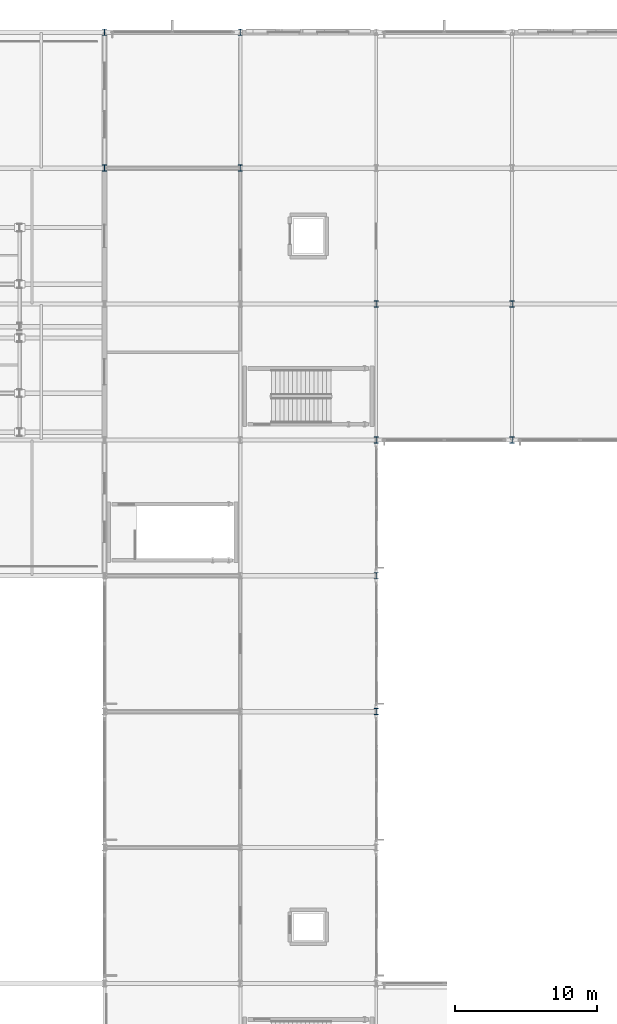
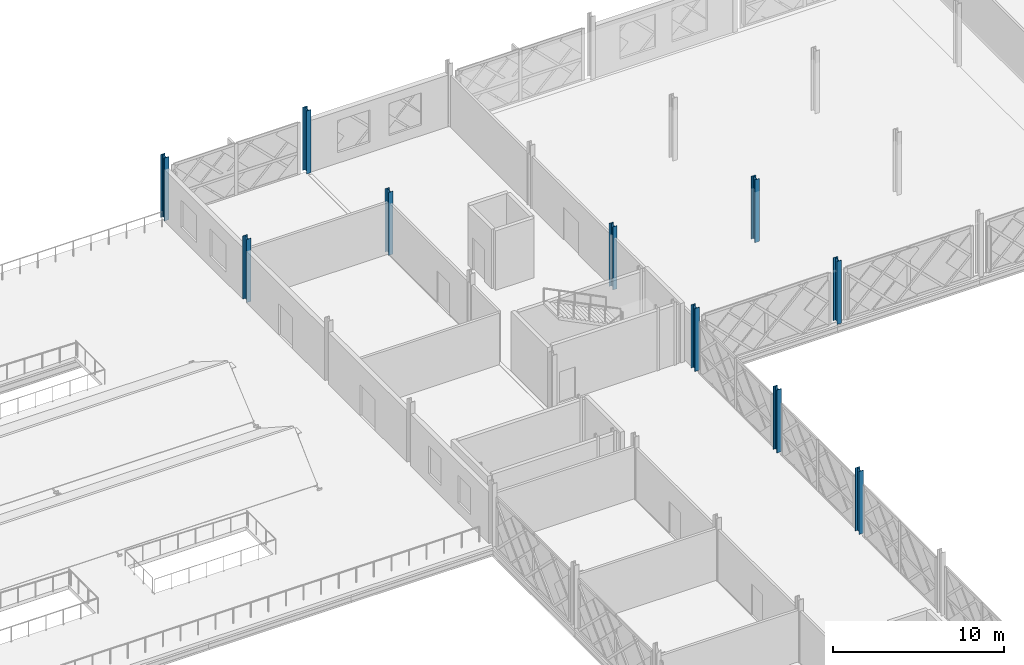
# One storey, part 11 of 101: 10 columns.
"""IFC4 building model written with IfcOpenShell, lengths in metres."""

from ifc_helpers import new_model, si_unit, direction, frame, origin, origin_2d, place, context, subcontext, project, spatial, i_section, extrude, material, material_profile, profile_set, type_object, element, save


model = new_model("IFC4")

# Units and contexts
model_context = context("Model", 3, precision=1e-05, world=origin(), true_north=direction((0.0, 1.0)))
body_context = subcontext(model_context, "Body", "Model", "MODEL_VIEW")
ifc_project = project(units=[si_unit("LENGTHUNIT", "METRE"), si_unit("AREAUNIT", "SQUARE_METRE"), si_unit("VOLUMEUNIT", "CUBIC_METRE"), si_unit("PLANEANGLEUNIT", "RADIAN"), si_unit("MASSUNIT", "GRAM", prefix="KILO")], contexts=[model_context])

# Site, building, storey
site_placement = place(None, origin())
site = spatial("IfcSite", under=ifc_project, at=site_placement, CompositionType="ELEMENT")
building_placement = place(site_placement, origin())
building = spatial("IfcBuilding", under=site, at=building_placement, Name="Zevrakil Square Congress Hotel", CompositionType="ELEMENT")
storey_placement = place(building_placement, frame((0.0, 0.0, 5.39990234375)))
storey = spatial("IfcBuildingStorey", under=building, at=storey_placement, Name="L02", CompositionType="ELEMENT", Elevation=5.39990234375)

# Columns
ifc_material = material(Name="Steel S355", Category="steel")
ifc_material_profile = material_profile(ifc_material, i_section(OverallWidth=0.300048828125, OverallDepth=0.449951171875, WebThickness=0.013916015625, FlangeThickness=0.02587890625, FilletRadius=0.027099609375, at=origin_2d()), Name="HEB 450")
ifc_profile_set = profile_set([ifc_material_profile], Name="Steel S355")
column_type = type_object("IfcColumnType", Name="COL-HEB450", PredefinedType="COLUMN", material=ifc_profile_set)
for number, where, z_axis, x_axis, name in (
    (1, (45.60009765625, 103.199951171875, 0.0), (0.0, 0.0, 1.0), (1.0, 0.0, 0.0), "L02 column C-078"),
    (2, (45.60009765625, 112.800048828125, 0.0), (0.0, 0.0, 1.0), (1.0, 0.0, 0.0), "L02 column C-079"),
    (3, (55.199951171875, 103.199951171875, 0.0), (0.0, 0.0, 1.0), (1.0, 0.0, 0.0), "L02 column C-096"),
    (4, (55.199951171875, 112.800048828125, 0.0), (0.0, 0.0, 1.0), (1.0, 0.0, 0.0), "L02 column C-097"),
    (5, (64.800048828125, 64.800048828125, 0.0), (0.0, 0.0, 1.0), (1.0, 0.0, 0.0), "L02 column C-106"),
    (6, (64.800048828125, 74.39990234375, 0.0), (0.0, 0.0, 1.0), (1.0, 0.0, 0.0), "L02 column C-107"),
    (7, (64.800048828125, 84.0, 0.0), (0.0, 0.0, 1.0), (1.0, 0.0, 0.0), "L02 column C-108"),
    (8, (64.800048828125, 93.60009765625, 0.0), (0.0, 0.0, 1.0), (1.0, 0.0, 0.0), "L02 column C-109"),
    (9, (74.39990234375, 84.0, 0.0), (0.0, 0.0, 1.0), (1.0, 0.0, 0.0), "L02 column C-120"),
    (10, (74.39990234375, 93.60009765625, 0.0), (0.0, 0.0, 1.0), (1.0, 0.0, 0.0), "L02 column C-121"),
):
    element("IfcColumn", number, at=place(storey_placement, frame(where, z_axis=z_axis, x_axis=x_axis)), inside=storey, type_object=column_type, Name=name, PredefinedType="COLUMN", context=body_context, shape_type="SweptSolid", body=[
        extrude(i_section(OverallWidth=0.300048828125, OverallDepth=0.449951171875, WebThickness=0.013916015625, FlangeThickness=0.02587890625, FilletRadius=0.027099609375, at=origin_2d()), origin(), (0.0, 0.0, 1.0), 4.5),
    ])

save(model, "model.ifc")
